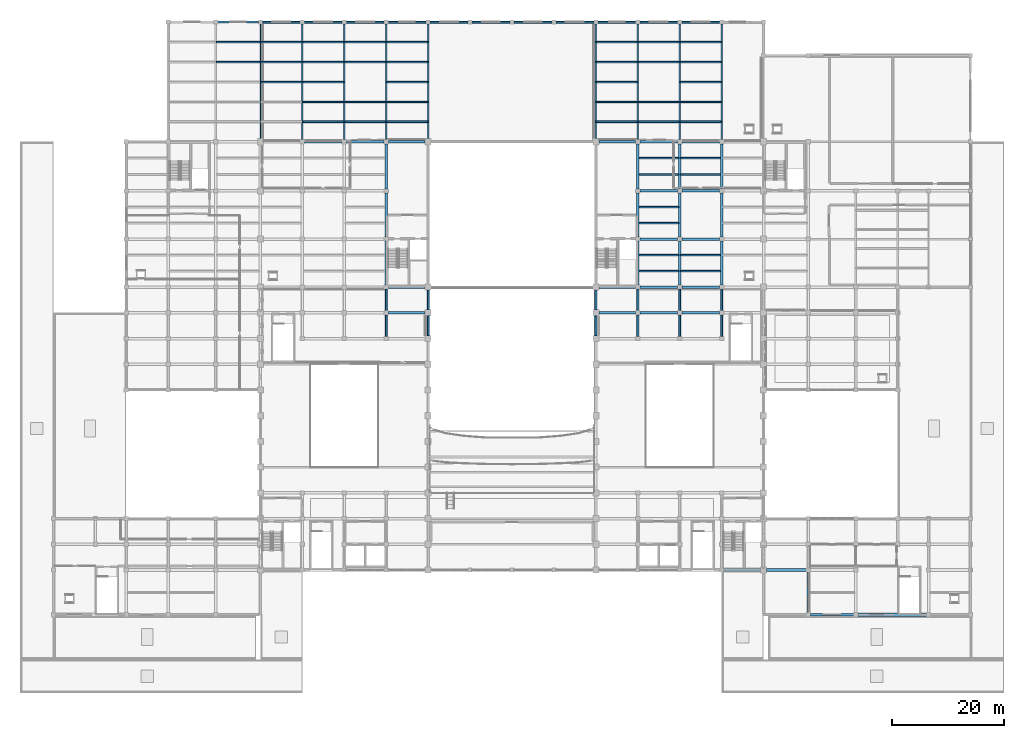
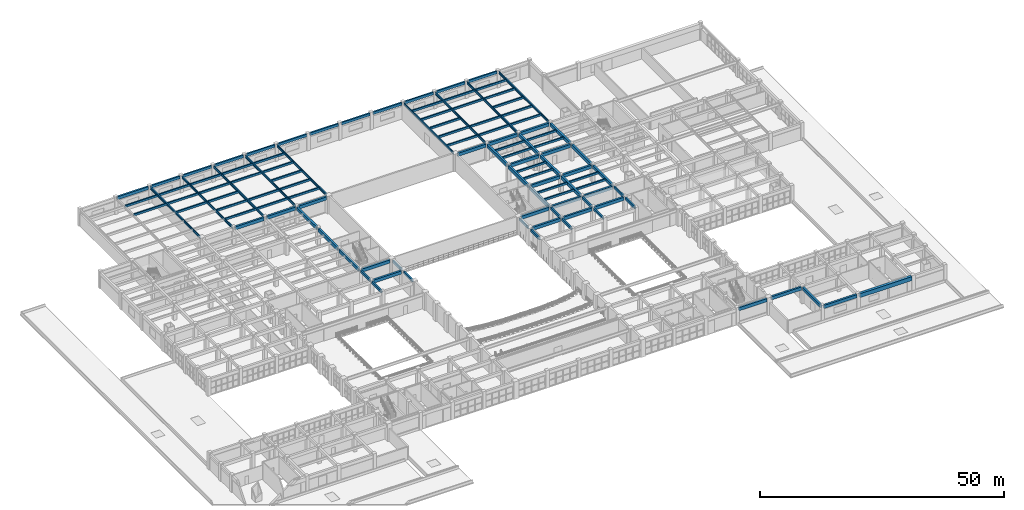
# One storey, part 33 of 90: 111 beams.
"""IFC4 building model written with IfcOpenShell, lengths in metres."""

import ifcopenshell
import ifcopenshell.guid

model = None  # the IFC model being written
_history = None  # IfcOwnerHistory: only IFC2X3 demands one
_inside = {}  # id of a spatial element -> (the spatial element, [elements in it])
_under = {}  # id of a project, library or spatial element -> (it, [spatial elements below it])
_declared = {}  # id of a project -> (the project, [libraries it declares])
_typed = {}  # id of a type object -> (the type object, [elements of that type])
_made_of = {}  # id of a material, layer set ... -> (it, [elements and type objects made of it])


def new_model(schema):
    """Start an empty IFC model of exactly this schema.

    Asked for "IFC4X3", IfcOpenShell would pick the latest addendum, in which some entities
    have other attributes; the version numbers below select the first issue.
    IFC2X3 requires an IfcOwnerHistory on every rooted entity: one is made here for all.
    """
    global model, _history
    if schema == "IFC4X3":
        model = ifcopenshell.file(schema_version=(4, 3, 0, 0))
    else:
        model = ifcopenshell.file(schema=schema)
    _inside.clear()
    _under.clear()
    _declared.clear()
    _typed.clear()
    _made_of.clear()
    _history = None
    if model.schema == "IFC2X3":
        org = make("IfcOrganization", Name="unknown")
        user = make(
            "IfcPersonAndOrganization",
            ThePerson=make("IfcPerson", FamilyName="unknown"),
            TheOrganization=org,
        )
        app = make(
            "IfcApplication",
            ApplicationDeveloper=org,
            Version="unknown",
            ApplicationFullName="unknown",
            ApplicationIdentifier="unknown",
        )
        _history = make(
            "IfcOwnerHistory",
            OwningUser=user,
            OwningApplication=app,
            ChangeAction="ADDED",
            CreationDate=0,
        )
    return model


def make(cls, **values):
    """One entity of the class cls with the attributes given. An attribute that is None is left unset."""
    return model.create_entity(
        cls, **{name: value for name, value in values.items() if value is not None}
    )


def rooted(cls, **values):
    """An entity with a GlobalId (a new one), such as an element, a storey or a relation."""
    return make(cls, GlobalId=ifcopenshell.guid.new(), OwnerHistory=_history, **values)


def si_unit(unit_type, name, prefix=None):
    """IfcSIUnit, for example si_unit("LENGTHUNIT", "METRE", prefix="MILLI")."""
    return make("IfcSIUnit", UnitType=unit_type, Prefix=prefix, Name=name)


def assignment(units):
    """IfcUnitAssignment: the units of a project."""
    return None if units is None else make("IfcUnitAssignment", Units=units)


def point(xyz):
    """IfcCartesianPoint."""
    return None if xyz is None else make("IfcCartesianPoint", Coordinates=xyz)


def direction(xyz):
    """IfcDirection."""
    return None if xyz is None else make("IfcDirection", DirectionRatios=xyz)


def frame(location, z_axis=None, x_axis=None):
    """IfcAxis2Placement3D, a coordinate frame: its origin and axes. An axis left out is left unset."""
    return make(
        "IfcAxis2Placement3D",
        Location=point(location),
        Axis=direction(z_axis),
        RefDirection=direction(x_axis),
    )


def frame_2d(location, x_axis=None):
    """IfcAxis2Placement2D, a coordinate frame in the plane: its origin and x axis."""
    return make(
        "IfcAxis2Placement2D", Location=point(location), RefDirection=direction(x_axis)
    )


def origin():
    """The frame at (0, 0, 0) with its axes left unset."""
    return frame((0.0, 0.0, 0.0))


def origin_2d():
    """The frame at (0, 0) in the plane with its x axis left unset."""
    return frame_2d((0.0, 0.0))


def place(relative_to, where):
    """IfcLocalPlacement: puts the frame where relative to a parent placement (None: the world)."""
    return make(
        "IfcLocalPlacement", PlacementRelTo=relative_to, RelativePlacement=where
    )


def context(
    kind, dimensions, precision=None, world=None, true_north=None, identifier=None
):
    """IfcGeometricRepresentationContext, for example the 3D "Model" context."""
    return make(
        "IfcGeometricRepresentationContext",
        ContextIdentifier=identifier,
        ContextType=kind,
        CoordinateSpaceDimension=dimensions,
        Precision=precision,
        WorldCoordinateSystem=world,
        TrueNorth=true_north,
    )


def subcontext(parent, identifier, kind, view, scale=None):
    """IfcGeometricRepresentationSubContext, for example "Body" below "Model"."""
    return make(
        "IfcGeometricRepresentationSubContext",
        ContextIdentifier=identifier,
        ContextType=kind,
        ParentContext=parent,
        TargetScale=scale,
        TargetView=view,
    )


def project(units=None, contexts=None):
    """IfcProject with its units and contexts."""
    return rooted(
        "IfcProject",
        Name="project",
        RepresentationContexts=contexts,
        UnitsInContext=assignment(units),
    )


def spatial(cls, under=None, at=None, **own):
    """A site, building, storey or space (cls), placed at a placement, below another one or the project."""
    s = rooted(cls, ObjectPlacement=at, **own)
    if under is not None:
        _under.setdefault(under.id(), (under, []))[1].append(s)
    return s


def profile(cls, at=None, kind="AREA", **sizes):
    """A parametric profile (cls). Its sizes go by their IFC names, for example OverallWidth=200.0."""
    return make(cls, ProfileType=kind, Position=at, **sizes)


def rectangle(**sizes):
    """IfcRectangleProfileDef."""
    return profile("IfcRectangleProfileDef", **sizes)


def i_section(**sizes):
    """IfcIShapeProfileDef."""
    return profile("IfcIShapeProfileDef", **sizes)


def extrude(swept, where, along, depth):
    """IfcExtrudedAreaSolid: the profile swept, set in the frame where, extruded along a direction by depth."""
    return make(
        "IfcExtrudedAreaSolid",
        SweptArea=swept,
        Position=where,
        ExtrudedDirection=direction(along),
        Depth=depth,
    )


def shape(context_of_items, identifier, shape_type, items):
    """IfcShapeRepresentation: the items that make up one representation, for example the "Body"."""
    return make(
        "IfcShapeRepresentation",
        ContextOfItems=context_of_items,
        RepresentationIdentifier=identifier,
        RepresentationType=shape_type,
        Items=items,
    )


def material(Name=None, Category=None):
    """IfcMaterial."""
    return make("IfcMaterial", Name=Name, Category=Category)


def material_profile(
    of_material, cross_section, Name=None, Category=None, Priority=None
):
    """IfcMaterialProfile: a cross section and its material."""
    return make(
        "IfcMaterialProfile",
        Name=Name,
        Material=of_material,
        Profile=cross_section,
        Priority=Priority,
        Category=Category,
    )


def profile_set(profiles, Name=None, composite=None):
    """IfcMaterialProfileSet."""
    return make(
        "IfcMaterialProfileSet",
        Name=Name,
        MaterialProfiles=profiles,
        CompositeProfile=composite,
    )


def made_of(thing, what):
    """Note that an element or type object is made of a material, layer set ...; save() writes the relation."""
    if what is not None:
        _made_of.setdefault(what.id(), (what, []))[1].append(thing)
    return thing


def type_object(cls, material=None, **own):
    """A type object (cls), such as IfcWallType, which elements share."""
    return made_of(rooted(cls, **own), material)


def element(
    cls,
    number,
    at=None,
    inside=None,
    cuts=None,
    type_object=None,
    material=None,
    context=None,
    identifier="Body",
    shape_type=None,
    held_by="IfcProductDefinitionShape",
    body=None,
    shapes=None,
    **own,
):
    """One element of the class cls, such as IfcWall. Its Tag is "e" and its number.

    at: its placement. inside: the storey or other place that contains it. cuts: it is an
    opening in that element (IfcRelVoidsElement). A single representation is given by context,
    identifier, shape_type and body (its items); several are given by shapes. held_by: the class
    of the entity that holds the representations. save() writes the other relations.
    """
    e = rooted(cls, Tag="e%d" % number, ObjectPlacement=at, **own)
    if body is not None:
        shapes = [shape(context, identifier, shape_type, body)]
    if shapes is not None:
        e.Representation = make(held_by, Representations=shapes)
    if inside is not None:
        _inside.setdefault(inside.id(), (inside, []))[1].append(e)
    if cuts is not None:
        rooted(
            "IfcRelVoidsElement", RelatingBuildingElement=cuts, RelatedOpeningElement=e
        )
    if type_object is not None:
        _typed.setdefault(type_object.id(), (type_object, []))[1].append(e)
    return made_of(e, material)


def aggregate(whole, parts):
    """IfcRelAggregates: a whole, such as a stair, and the parts it consists of."""
    return rooted("IfcRelAggregates", RelatingObject=whole, RelatedObjects=parts)


def save(model, path):
    """Write the relations noted so far, then the file.

    IfcRelAggregates (storeys below a building ...), IfcRelContainedInSpatialStructure (elements
    in a storey), IfcRelDefinesByType, IfcRelAssociatesMaterial and IfcRelDeclares: one each for
    every whole, place, type object, material and project.
    """
    for whole, parts in _under.values():
        aggregate(whole, parts)
    for where, things in _inside.values():
        rooted(
            "IfcRelContainedInSpatialStructure",
            RelatedElements=things,
            RelatingStructure=where,
        )
    for kind, things in _typed.values():
        rooted("IfcRelDefinesByType", RelatedObjects=things, RelatingType=kind)
    for what, things in _made_of.values():
        rooted("IfcRelAssociatesMaterial", RelatedObjects=things, RelatingMaterial=what)
    for by, libraries in _declared.values():
        rooted("IfcRelDeclares", RelatingContext=by, RelatedDefinitions=libraries)
    model.write(path)


model = new_model("IFC4")

# Units and contexts
model_context = context("Model", 3, precision=1e-05, world=origin(), true_north=direction((0.0, 1.0)))
body_context = subcontext(model_context, "Body", "Model", "MODEL_VIEW")
ifc_project = project(units=[si_unit("LENGTHUNIT", "METRE"), si_unit("AREAUNIT", "SQUARE_METRE"), si_unit("VOLUMEUNIT", "CUBIC_METRE"), si_unit("PLANEANGLEUNIT", "RADIAN"), si_unit("MASSUNIT", "GRAM", prefix="KILO")], contexts=[model_context])

# Site, building, storey
site_placement = place(None, origin())
site = spatial("IfcSite", under=ifc_project, at=site_placement, CompositionType="ELEMENT")
building_placement = place(site_placement, origin())
building = spatial("IfcBuilding", under=site, at=building_placement, Name="Muzn Square Opera House", CompositionType="ELEMENT")
storey_placement = place(building_placement, frame((0.0, 0.0, 9.800048828125)))
storey = spatial("IfcBuildingStorey", under=building, at=storey_placement, Name="L02", CompositionType="ELEMENT", Elevation=9.800048828125)

# Beams
ifc_material_1 = material(Name="Concrete C40/50", Category="concrete")
ifc_material_profile_1 = material_profile(ifc_material_1, rectangle(XDim=0.300048828125, YDim=0.5, at=origin_2d()), Name="RCJ 300x500", Category="concrete")
ifc_profile_set_1 = profile_set([ifc_material_profile_1], Name="Concrete C40/50")
beam_type_1 = type_object("IfcBeamType", Name="Floor Joist 300x500", PredefinedType="JOIST", material=ifc_profile_set_1)
for number, where, z_axis, x_axis, name in (
    (1, (35.10205078125, 112.86669921875, 3.89990234375), (1.0, 0.0, 0.0), (0.0, 1.0, 0.0), "Floor Joist BM-L02-BM-J500-351_1129_429_1129-2320"),
    (2, (35.10205078125, 116.433349609375, 3.89990234375), (1.0, 0.0, 0.0), (0.0, 1.0, 0.0), "Floor Joist BM-L02-BM-J500-351_1164_429_1164-2321"),
):
    element("IfcBeam", number, at=place(storey_placement, frame(where, z_axis=z_axis, x_axis=x_axis)), inside=storey, type_object=beam_type_1, Name=name, PredefinedType="JOIST", context=body_context, shape_type="SweptSolid", body=[
        extrude(rectangle(XDim=0.300048828125, YDim=0.5, at=origin_2d()), origin(), (0.0, 0.0, 1.0), 7.7958984375),
    ])
for number, where, z_axis, x_axis, name in (
    (3, (43.10205078125, 109.300048828125, 3.89990234375), (1.0, 0.0, 0.0), (0.0, 1.0, 0.0), "Floor Joist BM-L02-BM-J500-431_1093_504_1093-2330"),
    (4, (43.10205078125, 112.86669921875, 3.89990234375), (1.0, 0.0, 0.0), (0.0, 1.0, 0.0), "Floor Joist BM-L02-BM-J500-431_1129_504_1129-2331"),
    (5, (43.10205078125, 116.433349609375, 3.89990234375), (1.0, 0.0, 0.0), (0.0, 1.0, 0.0), "Floor Joist BM-L02-BM-J500-431_1164_504_1164-2332"),
    (6, (50.60205078125, 102.166748046875, 3.89990234375), (1.0, 0.0, 0.0), (0.0, 1.0, 0.0), "Floor Joist BM-L02-BM-J500-506_1022_579_1022-2339"),
    (7, (50.60205078125, 105.7333984375, 3.89990234375), (1.0, 0.0, 0.0), (0.0, 1.0, 0.0), "Floor Joist BM-L02-BM-J500-506_1057_579_1057-2340"),
    (8, (50.60205078125, 109.300048828125, 3.89990234375), (1.0, 0.0, 0.0), (0.0, 1.0, 0.0), "Floor Joist BM-L02-BM-J500-506_1093_579_1093-2341"),
    (9, (50.60205078125, 112.86669921875, 3.89990234375), (1.0, 0.0, 0.0), (0.0, 1.0, 0.0), "Floor Joist BM-L02-BM-J500-506_1129_579_1129-2342"),
    (10, (50.60205078125, 116.433349609375, 3.89990234375), (1.0, 0.0, 0.0), (0.0, 1.0, 0.0), "Floor Joist BM-L02-BM-J500-506_1164_579_1164-2343"),
    (11, (58.10205078125, 102.166748046875, 3.89990234375), (1.0, 0.0, 0.0), (0.0, 1.0, 0.0), "Floor Joist BM-L02-BM-J500-581_1022_654_1022-2350"),
    (12, (58.10205078125, 105.7333984375, 3.89990234375), (1.0, 0.0, 0.0), (0.0, 1.0, 0.0), "Floor Joist BM-L02-BM-J500-581_1057_654_1057-2351"),
    (13, (58.10205078125, 112.86669921875, 3.89990234375), (1.0, 0.0, 0.0), (0.0, 1.0, 0.0), "Floor Joist BM-L02-BM-J500-581_1129_654_1129-2353"),
    (14, (58.10205078125, 116.433349609375, 3.89990234375), (1.0, 0.0, 0.0), (0.0, 1.0, 0.0), "Floor Joist BM-L02-BM-J500-581_1164_654_1164-2354"),
    (15, (65.60205078125, 102.166748046875, 3.89990234375), (1.0, 0.0, 0.0), (0.0, 1.0, 0.0), "Floor Joist BM-L02-BM-J500-656_1022_729_1022-2355"),
    (16, (65.60205078125, 105.7333984375, 3.89990234375), (1.0, 0.0, 0.0), (0.0, 1.0, 0.0), "Floor Joist BM-L02-BM-J500-656_1057_729_1057-2356"),
    (17, (65.60205078125, 109.300048828125, 3.89990234375), (1.0, 0.0, 0.0), (0.0, 1.0, 0.0), "Floor Joist BM-L02-BM-J500-656_1093_729_1093-2357"),
    (18, (65.60205078125, 112.86669921875, 3.89990234375), (1.0, 0.0, 0.0), (0.0, 1.0, 0.0), "Floor Joist BM-L02-BM-J500-656_1129_729_1129-2358"),
    (19, (65.60205078125, 116.433349609375, 3.89990234375), (1.0, 0.0, 0.0), (0.0, 1.0, 0.0), "Floor Joist BM-L02-BM-J500-656_1164_729_1164-2359"),
    (20, (103.10205078125, 102.166748046875, 3.89990234375), (1.0, 0.0, 0.0), (0.0, 1.0, 0.0), "Floor Joist BM-L02-BM-J500-1031_1022_1104_1022-2360"),
    (21, (103.10205078125, 105.7333984375, 3.89990234375), (1.0, 0.0, 0.0), (0.0, 1.0, 0.0), "Floor Joist BM-L02-BM-J500-1031_1057_1104_1057-2361"),
    (22, (103.10205078125, 109.300048828125, 3.89990234375), (1.0, 0.0, 0.0), (0.0, 1.0, 0.0), "Floor Joist BM-L02-BM-J500-1031_1093_1104_1093-2362"),
    (23, (103.10205078125, 112.86669921875, 3.89990234375), (1.0, 0.0, 0.0), (0.0, 1.0, 0.0), "Floor Joist BM-L02-BM-J500-1031_1129_1104_1129-2363"),
    (24, (103.10205078125, 116.433349609375, 3.89990234375), (1.0, 0.0, 0.0), (0.0, 1.0, 0.0), "Floor Joist BM-L02-BM-J500-1031_1164_1104_1164-2364"),
):
    element("IfcBeam", number, at=place(storey_placement, frame(where, z_axis=z_axis, x_axis=x_axis)), inside=storey, type_object=beam_type_1, Name=name, PredefinedType="JOIST", context=body_context, shape_type="SweptSolid", body=[
        extrude(rectangle(XDim=0.300048828125, YDim=0.5, at=origin_2d()), origin(), (0.0, 0.0, 1.0), 7.2958984375),
    ])
for number, where, z_axis, x_axis, name in (
    (25, (110.717041015625, 75.466796875, 3.89990234375), (1.0, 0.0, 0.0), (0.0, 1.0, 0.0), "Floor Joist BM-L02-BM-J500-1107_755_1178_755-2365"),
    (26, (110.717041015625, 78.333251953125, 3.89990234375), (1.0, 0.0, 0.0), (0.0, 1.0, 0.0), "Floor Joist BM-L02-BM-J500-1107_783_1178_783-2366"),
    (27, (110.717041015625, 84.066650390625, 3.89990234375), (1.0, 0.0, 0.0), (0.0, 1.0, 0.0), "Floor Joist BM-L02-BM-J500-1107_841_1178_841-2367"),
    (28, (110.717041015625, 86.933349609375, 3.89990234375), (1.0, 0.0, 0.0), (0.0, 1.0, 0.0), "Floor Joist BM-L02-BM-J500-1107_869_1178_869-2368"),
    (29, (110.717041015625, 92.7333984375, 3.89990234375), (1.0, 0.0, 0.0), (0.0, 1.0, 0.0), "Floor Joist BM-L02-BM-J500-1107_927_1178_927-2369"),
    (30, (110.717041015625, 95.666748046875, 3.89990234375), (1.0, 0.0, 0.0), (0.0, 1.0, 0.0), "Floor Joist BM-L02-BM-J500-1107_957_1178_957-2370"),
):
    element("IfcBeam", number, at=place(storey_placement, frame(where, z_axis=z_axis, x_axis=x_axis)), inside=storey, type_object=beam_type_1, Name=name, PredefinedType="JOIST", context=body_context, shape_type="SweptSolid", body=[
        extrude(rectangle(XDim=0.300048828125, YDim=0.5, at=origin_2d()), origin(), (0.0, 0.0, 1.0), 7.06591796875),
    ])
for number, where, z_axis, x_axis, name in (
    (31, (110.60205078125, 102.166748046875, 3.89990234375), (1.0, 0.0, 0.0), (0.0, 1.0, 0.0), "Floor Joist BM-L02-BM-J500-1106_1022_1179_1022-2371"),
    (32, (110.60205078125, 105.7333984375, 3.89990234375), (1.0, 0.0, 0.0), (0.0, 1.0, 0.0), "Floor Joist BM-L02-BM-J500-1106_1057_1179_1057-2372"),
    (33, (110.60205078125, 112.86669921875, 3.89990234375), (1.0, 0.0, 0.0), (0.0, 1.0, 0.0), "Floor Joist BM-L02-BM-J500-1106_1129_1179_1129-2374"),
    (34, (110.60205078125, 116.433349609375, 3.89990234375), (1.0, 0.0, 0.0), (0.0, 1.0, 0.0), "Floor Joist BM-L02-BM-J500-1106_1164_1179_1164-2375"),
):
    element("IfcBeam", number, at=place(storey_placement, frame(where, z_axis=z_axis, x_axis=x_axis)), inside=storey, type_object=beam_type_1, Name=name, PredefinedType="JOIST", context=body_context, shape_type="SweptSolid", body=[
        extrude(rectangle(XDim=0.300048828125, YDim=0.5, at=origin_2d()), origin(), (0.0, 0.0, 1.0), 7.2958984375),
    ])
for number, where, z_axis, x_axis, name in (
    (35, (118.217041015625, 75.466796875, 3.89990234375), (1.0, 0.0, 0.0), (0.0, 1.0, 0.0), "Floor Joist BM-L02-BM-J500-1182_755_1253_755-2376"),
    (36, (118.217041015625, 78.333251953125, 3.89990234375), (1.0, 0.0, 0.0), (0.0, 1.0, 0.0), "Floor Joist BM-L02-BM-J500-1182_783_1253_783-2377"),
    (37, (118.217041015625, 92.7333984375, 3.89990234375), (1.0, 0.0, 0.0), (0.0, 1.0, 0.0), "Floor Joist BM-L02-BM-J500-1182_927_1253_927-2380"),
    (38, (118.217041015625, 95.666748046875, 3.89990234375), (1.0, 0.0, 0.0), (0.0, 1.0, 0.0), "Floor Joist BM-L02-BM-J500-1182_957_1253_957-2381"),
):
    element("IfcBeam", number, at=place(storey_placement, frame(where, z_axis=z_axis, x_axis=x_axis)), inside=storey, type_object=beam_type_1, Name=name, PredefinedType="JOIST", context=body_context, shape_type="SweptSolid", body=[
        extrude(rectangle(XDim=0.300048828125, YDim=0.5, at=origin_2d()), origin(), (0.0, 0.0, 1.0), 7.06591796875),
    ])
for number, where, z_axis, x_axis, name in (
    (39, (118.10205078125, 102.166748046875, 3.89990234375), (1.0, 0.0, 0.0), (0.0, 1.0, 0.0), "Floor Joist BM-L02-BM-J500-1181_1022_1254_1022-2382"),
    (40, (118.10205078125, 105.7333984375, 3.89990234375), (1.0, 0.0, 0.0), (0.0, 1.0, 0.0), "Floor Joist BM-L02-BM-J500-1181_1057_1254_1057-2383"),
    (41, (118.10205078125, 109.300048828125, 3.89990234375), (1.0, 0.0, 0.0), (0.0, 1.0, 0.0), "Floor Joist BM-L02-BM-J500-1181_1093_1254_1093-2384"),
    (42, (118.10205078125, 112.86669921875, 3.89990234375), (1.0, 0.0, 0.0), (0.0, 1.0, 0.0), "Floor Joist BM-L02-BM-J500-1181_1129_1254_1129-2385"),
    (43, (118.10205078125, 116.433349609375, 3.89990234375), (1.0, 0.0, 0.0), (0.0, 1.0, 0.0), "Floor Joist BM-L02-BM-J500-1181_1164_1254_1164-2386"),
):
    element("IfcBeam", number, at=place(storey_placement, frame(where, z_axis=z_axis, x_axis=x_axis)), inside=storey, type_object=beam_type_1, Name=name, PredefinedType="JOIST", context=body_context, shape_type="SweptSolid", body=[
        extrude(rectangle(XDim=0.300048828125, YDim=0.5, at=origin_2d()), origin(), (0.0, 0.0, 1.0), 7.2958984375),
    ])
ifc_material_profile_2 = material_profile(ifc_material_1, rectangle(XDim=0.35009765625, YDim=0.60009765625, at=origin_2d()), Name="RCB 350x600", Category="concrete")
ifc_profile_set_2 = profile_set([ifc_material_profile_2], Name="Concrete C40/50")
beam_type_2 = type_object("IfcBeamType", Name="Primary Girder 350x600", PredefinedType="BEAM", material=ifc_profile_set_2)
for number, where, z_axis, x_axis, name in (
    (44, (65.5, 63.76708984375, 3.820068359375), (0.0, 1.0, 0.0), (-1.0, 0.0, 0.0), "Primary Girder BM-L02-BM-PG600-655_638_655_676-2189"),
    (45, (65.5, 68.366943359375, 3.820068359375), (0.0, 1.0, 0.0), (-1.0, 0.0, 0.0), "Primary Girder BM-L02-BM-PG600-655_684_655_722-2190"),
):
    element("IfcBeam", number, at=place(storey_placement, frame(where, z_axis=z_axis, x_axis=x_axis)), inside=storey, type_object=beam_type_2, Name=name, PredefinedType="BEAM", context=body_context, shape_type="SweptSolid", body=[
        extrude(rectangle(XDim=0.35009765625, YDim=0.60009765625, at=origin_2d()), origin(), (0.0, 0.0, 1.0), 3.865966796875),
    ])
for number, where, z_axis, x_axis, name in (
    (46, (73.0, 63.94189453125, 3.820068359375), (0.0, 1.0, 0.0), (-1.0, 0.0, 0.0), "Primary Girder BM-L02-BM-PG600-730_639_730_675-2204"),
    (47, (73.0, 68.5419921875, 3.820068359375), (0.0, 1.0, 0.0), (-1.0, 0.0, 0.0), "Primary Girder BM-L02-BM-PG600-730_685_730_721-2205"),
    (48, (103.0, 63.94189453125, 3.820068359375), (0.0, 1.0, 0.0), (-1.0, 0.0, 0.0), "Primary Girder BM-L02-BM-PG600-1030_639_1030_675-2216"),
    (49, (103.0, 68.5419921875, 3.820068359375), (0.0, 1.0, 0.0), (-1.0, 0.0, 0.0), "Primary Girder BM-L02-BM-PG600-1030_685_1030_721-2217"),
):
    element("IfcBeam", number, at=place(storey_placement, frame(where, z_axis=z_axis, x_axis=x_axis)), inside=storey, type_object=beam_type_2, Name=name, PredefinedType="BEAM", context=body_context, shape_type="SweptSolid", body=[
        extrude(rectangle(XDim=0.35009765625, YDim=0.60009765625, at=origin_2d()), origin(), (0.0, 0.0, 1.0), 3.51611328125),
    ])
for number, where, z_axis, x_axis, name in (
    (50, (110.5, 63.76708984375, 3.820068359375), (0.0, 1.0, 0.0), (-1.0, 0.0, 0.0), "Primary Girder BM-L02-BM-PG600-1105_638_1105_676-2222"),
    (51, (110.5, 68.366943359375, 3.820068359375), (0.0, 1.0, 0.0), (-1.0, 0.0, 0.0), "Primary Girder BM-L02-BM-PG600-1105_684_1105_722-2223"),
    (52, (118.0, 63.76708984375, 3.820068359375), (0.0, 1.0, 0.0), (-1.0, 0.0, 0.0), "Primary Girder BM-L02-BM-PG600-1180_638_1180_676-2231"),
    (53, (118.0, 68.366943359375, 3.820068359375), (0.0, 1.0, 0.0), (-1.0, 0.0, 0.0), "Primary Girder BM-L02-BM-PG600-1180_684_1180_722-2232"),
    (54, (125.5, 63.76708984375, 3.820068359375), (0.0, 1.0, 0.0), (-1.0, 0.0, 0.0), "Primary Girder BM-L02-BM-PG600-1255_638_1255_676-2240"),
    (55, (125.5, 68.366943359375, 3.820068359375), (0.0, 1.0, 0.0), (-1.0, 0.0, 0.0), "Primary Girder BM-L02-BM-PG600-1255_684_1255_722-2241"),
):
    element("IfcBeam", number, at=place(storey_placement, frame(where, z_axis=z_axis, x_axis=x_axis)), inside=storey, type_object=beam_type_2, Name=name, PredefinedType="BEAM", context=body_context, shape_type="SweptSolid", body=[
        extrude(rectangle(XDim=0.35009765625, YDim=0.60009765625, at=origin_2d()), origin(), (0.0, 0.0, 1.0), 3.865966796875),
    ])
ifc_material_profile_3 = material_profile(ifc_material_1, rectangle(XDim=0.449951171875, YDim=0.800048828125, at=origin_2d()), Name="RCB 450x800", Category="concrete")
ifc_profile_set_3 = profile_set([ifc_material_profile_3], Name="Concrete C40/50")
beam_type_3 = type_object("IfcBeamType", Name="Primary Girder 450x800", PredefinedType="BEAM", material=ifc_profile_set_3)
beam_1_placement = place(storey_placement, frame((141.366943359375, 14.0, 3.719970703125), z_axis=(1.0, 0.0, 0.0), x_axis=(0.0, 1.0, 0.0)))
element("IfcBeam", 56, at=beam_1_placement, inside=storey, type_object=beam_type_3, Name="Primary Girder BM-L02-BM-PG800-1414_140_1491_140-1943", PredefinedType="BEAM", context=body_context, shape_type="SweptSolid", body=[
    extrude(rectangle(XDim=0.449951171875, YDim=0.800048828125, at=origin_2d()), origin(), (0.0, 0.0, 1.0), 7.76611328125),
])
beam_2_placement = place(storey_placement, frame((125.866943359375, 22.0, 3.719970703125), z_axis=(1.0, 0.0, 0.0), x_axis=(0.0, 1.0, 0.0)))
element("IfcBeam", 57, at=beam_2_placement, inside=storey, type_object=beam_type_3, Name="Primary Girder BM-L02-BM-PG800-1259_220_1325_220-1960", PredefinedType="BEAM", context=body_context, shape_type="SweptSolid", body=[
    extrude(rectangle(XDim=0.449951171875, YDim=0.800048828125, at=origin_2d()), origin(), (0.0, 0.0, 1.0), 6.591064453125),
])
beam_3_placement = place(storey_placement, frame((133.5419921875, 22.0, 3.75), z_axis=(1.0, 0.0, 0.0), x_axis=(0.0, 1.0, 0.0)))
element("IfcBeam", 58, at=beam_3_placement, inside=storey, type_object=beam_type_3, Name="Primary Girder BM-L02-BM-PG800-1335_220_1406_220-1961", PredefinedType="BEAM", context=body_context, shape_type="SweptSolid", body=[
    extrude(rectangle(XDim=0.449951171875, YDim=0.800048828125, at=origin_2d()), origin(), (0.0, 0.0, 1.0), 7.091064453125),
])
for number, where, z_axis, x_axis, name in (
    (59, (65.866943359375, 68.0, 3.719970703125), (1.0, 0.0, 0.0), (0.0, 1.0, 0.0), "Primary Girder BM-L02-BM-PG800-659_680_725_680-2041"),
    (60, (103.5419921875, 68.0, 3.719970703125), (1.0, 0.0, 0.0), (0.0, 1.0, 0.0), "Primary Girder BM-L02-BM-PG800-1035_680_1101_680-2042"),
):
    element("IfcBeam", number, at=place(storey_placement, frame(where, z_axis=z_axis, x_axis=x_axis)), inside=storey, type_object=beam_type_3, Name=name, PredefinedType="BEAM", context=body_context, shape_type="SweptSolid", body=[
        extrude(rectangle(XDim=0.449951171875, YDim=0.800048828125, at=origin_2d()), origin(), (0.0, 0.0, 1.0), 6.591064453125),
    ])
for number, where, z_axis, x_axis, name in (
    (61, (110.866943359375, 68.0, 3.719970703125), (1.0, 0.0, 0.0), (0.0, 1.0, 0.0), "Primary Girder BM-L02-BM-PG800-1109_680_1176_680-2043"),
    (62, (118.366943359375, 68.0, 3.719970703125), (1.0, 0.0, 0.0), (0.0, 1.0, 0.0), "Primary Girder BM-L02-BM-PG800-1184_680_1251_680-2044"),
):
    element("IfcBeam", number, at=place(storey_placement, frame(where, z_axis=z_axis, x_axis=x_axis)), inside=storey, type_object=beam_type_3, Name=name, PredefinedType="BEAM", context=body_context, shape_type="SweptSolid", body=[
        extrude(rectangle(XDim=0.449951171875, YDim=0.800048828125, at=origin_2d()), origin(), (0.0, 0.0, 1.0), 6.76611328125),
    ])
for number, where, z_axis, x_axis, name in (
    (63, (65.866943359375, 72.60009765625, 3.719970703125), (1.0, 0.0, 0.0), (0.0, 1.0, 0.0), "Primary Girder BM-L02-BM-PG800-659_726_725_726-2055"),
    (64, (103.5419921875, 72.60009765625, 3.719970703125), (1.0, 0.0, 0.0), (0.0, 1.0, 0.0), "Primary Girder BM-L02-BM-PG800-1035_726_1101_726-2056"),
):
    element("IfcBeam", number, at=place(storey_placement, frame(where, z_axis=z_axis, x_axis=x_axis)), inside=storey, type_object=beam_type_3, Name=name, PredefinedType="BEAM", context=body_context, shape_type="SweptSolid", body=[
        extrude(rectangle(XDim=0.449951171875, YDim=0.800048828125, at=origin_2d()), origin(), (0.0, 0.0, 1.0), 6.591064453125),
    ])
for number, where, z_axis, x_axis, name in (
    (65, (110.866943359375, 72.60009765625, 3.719970703125), (1.0, 0.0, 0.0), (0.0, 1.0, 0.0), "Primary Girder BM-L02-BM-PG800-1109_726_1176_726-2057"),
    (66, (118.366943359375, 72.60009765625, 3.719970703125), (1.0, 0.0, 0.0), (0.0, 1.0, 0.0), "Primary Girder BM-L02-BM-PG800-1184_726_1251_726-2058"),
    (67, (110.866943359375, 81.199951171875, 3.75), (1.0, 0.0, 0.0), (0.0, 1.0, 0.0), "Primary Girder BM-L02-BM-PG800-1109_812_1176_812-2071"),
    (68, (118.366943359375, 81.199951171875, 3.75), (1.0, 0.0, 0.0), (0.0, 1.0, 0.0), "Primary Girder BM-L02-BM-PG800-1184_812_1251_812-2072"),
    (69, (110.866943359375, 89.800048828125, 3.75), (1.0, 0.0, 0.0), (0.0, 1.0, 0.0), "Primary Girder BM-L02-BM-PG800-1109_898_1176_898-2082"),
    (70, (118.366943359375, 89.800048828125, 3.75), (1.0, 0.0, 0.0), (0.0, 1.0, 0.0), "Primary Girder BM-L02-BM-PG800-1184_898_1251_898-2083"),
    (71, (50.866943359375, 98.60009765625, 3.75), (1.0, 0.0, 0.0), (0.0, 1.0, 0.0), "Primary Girder BM-L02-BM-PG800-509_986_576_986-2094"),
    (72, (58.366943359375, 98.60009765625, 3.75), (1.0, 0.0, 0.0), (0.0, 1.0, 0.0), "Primary Girder BM-L02-BM-PG800-584_986_651_986-2095"),
):
    element("IfcBeam", number, at=place(storey_placement, frame(where, z_axis=z_axis, x_axis=x_axis)), inside=storey, type_object=beam_type_3, Name=name, PredefinedType="BEAM", context=body_context, shape_type="SweptSolid", body=[
        extrude(rectangle(XDim=0.449951171875, YDim=0.800048828125, at=origin_2d()), origin(), (0.0, 0.0, 1.0), 6.76611328125),
    ])
for number, where, z_axis, x_axis, name in (
    (73, (65.866943359375, 98.60009765625, 3.719970703125), (1.0, 0.0, 0.0), (0.0, 1.0, 0.0), "Primary Girder BM-L02-BM-PG800-659_986_725_986-2096"),
    (74, (103.5419921875, 98.60009765625, 3.719970703125), (1.0, 0.0, 0.0), (0.0, 1.0, 0.0), "Primary Girder BM-L02-BM-PG800-1035_986_1101_986-2097"),
):
    element("IfcBeam", number, at=place(storey_placement, frame(where, z_axis=z_axis, x_axis=x_axis)), inside=storey, type_object=beam_type_3, Name=name, PredefinedType="BEAM", context=body_context, shape_type="SweptSolid", body=[
        extrude(rectangle(XDim=0.449951171875, YDim=0.800048828125, at=origin_2d()), origin(), (0.0, 0.0, 1.0), 6.591064453125),
    ])
for number, where, z_axis, x_axis, name in (
    (75, (110.866943359375, 98.60009765625, 3.75), (1.0, 0.0, 0.0), (0.0, 1.0, 0.0), "Primary Girder BM-L02-BM-PG800-1109_986_1176_986-2098"),
    (76, (118.366943359375, 98.60009765625, 3.75), (1.0, 0.0, 0.0), (0.0, 1.0, 0.0), "Primary Girder BM-L02-BM-PG800-1184_986_1251_986-2099"),
):
    element("IfcBeam", number, at=place(storey_placement, frame(where, z_axis=z_axis, x_axis=x_axis)), inside=storey, type_object=beam_type_3, Name=name, PredefinedType="BEAM", context=body_context, shape_type="SweptSolid", body=[
        extrude(rectangle(XDim=0.449951171875, YDim=0.800048828125, at=origin_2d()), origin(), (0.0, 0.0, 1.0), 6.76611328125),
    ])
beam_4_placement = place(storey_placement, frame((65.5, 72.967041015625, 3.719970703125), z_axis=(0.0, 1.0, 0.0), x_axis=(-1.0, 0.0, 0.0)))
element("IfcBeam", 77, at=beam_4_placement, inside=storey, type_object=beam_type_3, Name="Primary Girder BM-L02-BM-PG800-655_730_655_808-2191", PredefinedType="BEAM", context=body_context, shape_type="SweptSolid", body=[
    extrude(rectangle(XDim=0.449951171875, YDim=0.800048828125, at=origin_2d()), origin(), (0.0, 0.0, 1.0), 7.865966796875),
])
beam_5_placement = place(storey_placement, frame((65.5, 81.56689453125, 3.719970703125), z_axis=(0.0, 1.0, 0.0), x_axis=(-1.0, 0.0, 0.0)))
element("IfcBeam", 78, at=beam_5_placement, inside=storey, type_object=beam_type_3, Name="Primary Girder BM-L02-BM-PG800-655_816_655_894-2192", PredefinedType="BEAM", context=body_context, shape_type="SweptSolid", body=[
    extrude(rectangle(XDim=0.449951171875, YDim=0.800048828125, at=origin_2d()), origin(), (0.0, 0.0, 1.0), 7.8662109375),
])
beam_6_placement = place(storey_placement, frame((65.5, 90.1669921875, 3.719970703125), z_axis=(0.0, 1.0, 0.0), x_axis=(-1.0, 0.0, 0.0)))
element("IfcBeam", 79, at=beam_6_placement, inside=storey, type_object=beam_type_3, Name="Primary Girder BM-L02-BM-PG800-655_902_655_982-2193", PredefinedType="BEAM", context=body_context, shape_type="SweptSolid", body=[
    extrude(rectangle(XDim=0.449951171875, YDim=0.800048828125, at=origin_2d()), origin(), (0.0, 0.0, 1.0), 8.06591796875),
])
beam_7_placement = place(storey_placement, frame((110.5, 72.967041015625, 3.719970703125), z_axis=(0.0, 1.0, 0.0), x_axis=(-1.0, 0.0, 0.0)))
element("IfcBeam", 80, at=beam_7_placement, inside=storey, type_object=beam_type_3, Name="Primary Girder BM-L02-BM-PG800-1105_730_1105_808-2224", PredefinedType="BEAM", context=body_context, shape_type="SweptSolid", body=[
    extrude(rectangle(XDim=0.449951171875, YDim=0.800048828125, at=origin_2d()), origin(), (0.0, 0.0, 1.0), 7.865966796875),
])
beam_8_placement = place(storey_placement, frame((110.5, 81.56689453125, 3.719970703125), z_axis=(0.0, 1.0, 0.0), x_axis=(-1.0, 0.0, 0.0)))
element("IfcBeam", 81, at=beam_8_placement, inside=storey, type_object=beam_type_3, Name="Primary Girder BM-L02-BM-PG800-1105_816_1105_894-2225", PredefinedType="BEAM", context=body_context, shape_type="SweptSolid", body=[
    extrude(rectangle(XDim=0.449951171875, YDim=0.800048828125, at=origin_2d()), origin(), (0.0, 0.0, 1.0), 7.8662109375),
])
beam_9_placement = place(storey_placement, frame((110.5, 90.1669921875, 3.719970703125), z_axis=(0.0, 1.0, 0.0), x_axis=(-1.0, 0.0, 0.0)))
element("IfcBeam", 82, at=beam_9_placement, inside=storey, type_object=beam_type_3, Name="Primary Girder BM-L02-BM-PG800-1105_902_1105_982-2226", PredefinedType="BEAM", context=body_context, shape_type="SweptSolid", body=[
    extrude(rectangle(XDim=0.449951171875, YDim=0.800048828125, at=origin_2d()), origin(), (0.0, 0.0, 1.0), 8.06591796875),
])
beam_10_placement = place(storey_placement, frame((118.0, 72.967041015625, 3.75), z_axis=(0.0, 1.0, 0.0), x_axis=(-1.0, 0.0, 0.0)))
element("IfcBeam", 83, at=beam_10_placement, inside=storey, type_object=beam_type_3, Name="Primary Girder BM-L02-BM-PG800-1180_730_1180_808-2233", PredefinedType="BEAM", context=body_context, shape_type="SweptSolid", body=[
    extrude(rectangle(XDim=0.449951171875, YDim=0.800048828125, at=origin_2d()), origin(), (0.0, 0.0, 1.0), 7.865966796875),
])
beam_11_placement = place(storey_placement, frame((118.0, 81.56689453125, 3.75), z_axis=(0.0, 1.0, 0.0), x_axis=(-1.0, 0.0, 0.0)))
element("IfcBeam", 84, at=beam_11_placement, inside=storey, type_object=beam_type_3, Name="Primary Girder BM-L02-BM-PG800-1180_816_1180_894-2234", PredefinedType="BEAM", context=body_context, shape_type="SweptSolid", body=[
    extrude(rectangle(XDim=0.449951171875, YDim=0.800048828125, at=origin_2d()), origin(), (0.0, 0.0, 1.0), 7.8662109375),
])
beam_12_placement = place(storey_placement, frame((118.0, 90.1669921875, 3.75), z_axis=(0.0, 1.0, 0.0), x_axis=(-1.0, 0.0, 0.0)))
element("IfcBeam", 85, at=beam_12_placement, inside=storey, type_object=beam_type_3, Name="Primary Girder BM-L02-BM-PG800-1180_902_1180_982-2235", PredefinedType="BEAM", context=body_context, shape_type="SweptSolid", body=[
    extrude(rectangle(XDim=0.449951171875, YDim=0.800048828125, at=origin_2d()), origin(), (0.0, 0.0, 1.0), 8.06591796875),
])
beam_13_placement = place(storey_placement, frame((125.5, 72.967041015625, 3.75), z_axis=(0.0, 1.0, 0.0), x_axis=(-1.0, 0.0, 0.0)))
element("IfcBeam", 86, at=beam_13_placement, inside=storey, type_object=beam_type_3, Name="Primary Girder BM-L02-BM-PG800-1255_730_1255_808-2242", PredefinedType="BEAM", context=body_context, shape_type="SweptSolid", body=[
    extrude(rectangle(XDim=0.449951171875, YDim=0.800048828125, at=origin_2d()), origin(), (0.0, 0.0, 1.0), 7.865966796875),
])
beam_14_placement = place(storey_placement, frame((125.5, 81.56689453125, 3.75), z_axis=(0.0, 1.0, 0.0), x_axis=(-1.0, 0.0, 0.0)))
element("IfcBeam", 87, at=beam_14_placement, inside=storey, type_object=beam_type_3, Name="Primary Girder BM-L02-BM-PG800-1255_816_1255_894-2243", PredefinedType="BEAM", context=body_context, shape_type="SweptSolid", body=[
    extrude(rectangle(XDim=0.449951171875, YDim=0.800048828125, at=origin_2d()), origin(), (0.0, 0.0, 1.0), 7.8662109375),
])
beam_15_placement = place(storey_placement, frame((125.5, 90.1669921875, 3.75), z_axis=(0.0, 1.0, 0.0), x_axis=(-1.0, 0.0, 0.0)))
element("IfcBeam", 88, at=beam_15_placement, inside=storey, type_object=beam_type_3, Name="Primary Girder BM-L02-BM-PG800-1255_902_1255_982-2244", PredefinedType="BEAM", context=body_context, shape_type="SweptSolid", body=[
    extrude(rectangle(XDim=0.449951171875, YDim=0.800048828125, at=origin_2d()), origin(), (0.0, 0.0, 1.0), 8.06591796875),
])
beam_16_placement = place(storey_placement, frame((141.0, 14.366943359375, 3.75), z_axis=(0.0, 1.0, 0.0), x_axis=(-1.0, 0.0, 0.0)))
element("IfcBeam", 89, at=beam_16_placement, inside=storey, type_object=beam_type_3, Name="Primary Girder BM-L02-BM-PG800-1410_144_1410_216-2260", PredefinedType="BEAM", context=body_context, shape_type="SweptSolid", body=[
    extrude(rectangle(XDim=0.449951171875, YDim=0.800048828125, at=origin_2d()), origin(), (0.0, 0.0, 1.0), 7.26611328125),
])
ifc_material_profile_4 = material_profile(ifc_material_1, rectangle(XDim=0.60009765625, YDim=1.0, at=origin_2d()), Name="RCB 600x1000", Category="concrete")
ifc_profile_set_4 = profile_set([ifc_material_profile_4], Name="Concrete C40/50")
beam_type_4 = type_object("IfcBeamType", Name="Primary Girder 600x1000", PredefinedType="BEAM", material=ifc_profile_set_4)
beam_17_placement = place(storey_placement, frame((149.866943359375, 14.0, 3.619873046875), z_axis=(1.0, 0.0, 0.0), x_axis=(0.0, 1.0, 0.0)))
element("IfcBeam", 90, at=beam_17_placement, inside=storey, type_object=beam_type_4, Name="Primary Girder BM-L02-BM-PG1000-1499_140_1621_140-1944", PredefinedType="BEAM", context=body_context, shape_type="SweptSolid", body=[
    extrude(rectangle(XDim=0.60009765625, YDim=1.0, at=origin_2d()), origin(), (0.0, 0.0, 1.0), 12.26611328125),
])
ifc_material_profile_5 = material_profile(ifc_material_1, rectangle(XDim=0.35009765625, YDim=0.64990234375, at=origin_2d()), Name="RCS 350x650", Category="concrete")
ifc_profile_set_5 = profile_set([ifc_material_profile_5], Name="Concrete C40/50")
beam_type_5 = type_object("IfcBeamType", Name="Spandrel Beam 350x650", PredefinedType="SPANDREL", material=ifc_profile_set_5)
for number, where, z_axis, x_axis, name in (
    (91, (43.366943359375, 120.0, 3.794921875), (1.0, 0.0, 0.0), (0.0, 1.0, 0.0), "Spandrel Beam BM-L02-BM-SP650-434_1200_501_1200-2105"),
    (92, (50.866943359375, 120.0, 3.794921875), (1.0, 0.0, 0.0), (0.0, 1.0, 0.0), "Spandrel Beam BM-L02-BM-SP650-509_1200_576_1200-2106"),
    (93, (58.366943359375, 120.0, 3.794921875), (1.0, 0.0, 0.0), (0.0, 1.0, 0.0), "Spandrel Beam BM-L02-BM-SP650-584_1200_651_1200-2107"),
    (94, (65.866943359375, 120.0, 3.794921875), (1.0, 0.0, 0.0), (0.0, 1.0, 0.0), "Spandrel Beam BM-L02-BM-SP650-659_1200_726_1200-2108"),
    (95, (73.366943359375, 120.0, 3.794921875), (1.0, 0.0, 0.0), (0.0, 1.0, 0.0), "Spandrel Beam BM-L02-BM-SP650-734_1200_801_1200-2109"),
    (96, (80.866943359375, 120.0, 3.794921875), (1.0, 0.0, 0.0), (0.0, 1.0, 0.0), "Spandrel Beam BM-L02-BM-SP650-809_1200_876_1200-2110"),
    (97, (88.366943359375, 120.0, 3.794921875), (1.0, 0.0, 0.0), (0.0, 1.0, 0.0), "Spandrel Beam BM-L02-BM-SP650-884_1200_951_1200-2111"),
    (98, (95.866943359375, 120.0, 3.794921875), (1.0, 0.0, 0.0), (0.0, 1.0, 0.0), "Spandrel Beam BM-L02-BM-SP650-959_1200_1026_1200-2112"),
    (99, (103.366943359375, 120.0, 3.794921875), (1.0, 0.0, 0.0), (0.0, 1.0, 0.0), "Spandrel Beam BM-L02-BM-SP650-1034_1200_1101_1200-2113"),
    (100, (110.866943359375, 120.0, 3.794921875), (1.0, 0.0, 0.0), (0.0, 1.0, 0.0), "Spandrel Beam BM-L02-BM-SP650-1109_1200_1176_1200-2114"),
    (101, (118.366943359375, 120.0, 3.794921875), (1.0, 0.0, 0.0), (0.0, 1.0, 0.0), "Spandrel Beam BM-L02-BM-SP650-1184_1200_1251_1200-2115"),
):
    element("IfcBeam", number, at=place(storey_placement, frame(where, z_axis=z_axis, x_axis=x_axis)), inside=storey, type_object=beam_type_5, Name=name, PredefinedType="SPANDREL", context=body_context, shape_type="SweptSolid", body=[
        extrude(rectangle(XDim=0.35009765625, YDim=0.64990234375, at=origin_2d()), origin(), (0.0, 0.0, 1.0), 6.76611328125),
    ])
ifc_material_profile_6 = material_profile(ifc_material_1, rectangle(XDim=0.39990234375, YDim=0.75, at=origin_2d()), Name="RCS 400x750", Category="concrete")
ifc_profile_set_6 = profile_set([ifc_material_profile_6], Name="Concrete C40/50")
beam_type_6 = type_object("IfcBeamType", Name="Spandrel Beam 400x750", PredefinedType="SPANDREL", material=ifc_profile_set_6)
beam_18_placement = place(storey_placement, frame((35.366943359375, 120.0, 3.744873046875), z_axis=(1.0, 0.0, 0.0), x_axis=(0.0, 1.0, 0.0)))
element("IfcBeam", 102, at=beam_18_placement, inside=storey, type_object=beam_type_6, Name="Spandrel Beam BM-L02-BM-SP750-354_1200_426_1200-2104", PredefinedType="SPANDREL", context=body_context, shape_type="SweptSolid", body=[
    extrude(rectangle(XDim=0.39990234375, YDim=0.75, at=origin_2d()), origin(), (0.0, 0.0, 1.0), 7.26611328125),
])
ifc_material_2 = material(Name="Steel S355", Category="steel")
ifc_material_profile_7 = material_profile(ifc_material_2, i_section(OverallWidth=0.219970703125, OverallDepth=0.60009765625, WebThickness=0.011962890625, FlangeThickness=0.01904296875, FilletRadius=0.02392578125, at=origin_2d()), Name="IPE 600", Category="steel")
ifc_profile_set_7 = profile_set([ifc_material_profile_7], Name="Steel S355")
beam_type_7 = type_object("IfcBeamType", Name="Stage Gallery Beam IPE600", PredefinedType="BEAM", material=ifc_profile_set_7)
beam_19_placement = place(storey_placement, frame((43.0, 99.14208984375, 3.849853515625), z_axis=(0.0, 1.0, 0.0), x_axis=(-1.0, 0.0, 0.0)))
element("IfcBeam", 103, at=beam_19_placement, inside=storey, type_object=beam_type_7, Name="Primary Girder BM-L02-BM-SG600-430_991_430_1196-2167", PredefinedType="BEAM", context=body_context, shape_type="SweptSolid", body=[
    extrude(i_section(OverallWidth=0.219970703125, OverallDepth=0.60009765625, WebThickness=0.011962890625, FlangeThickness=0.01904296875, FilletRadius=0.02392578125, at=origin_2d()), origin(), (0.0, 0.0, 1.0), 20.490966796875),
])
for number, where, z_axis, x_axis, name in (
    (104, (50.5, 98.967041015625, 3.849853515625), (0.0, 1.0, 0.0), (-1.0, 0.0, 0.0), "Primary Girder BM-L02-BM-SG600-505_990_505_1196-2176"),
    (105, (58.0, 98.967041015625, 3.849853515625), (0.0, 1.0, 0.0), (-1.0, 0.0, 0.0), "Primary Girder BM-L02-BM-SG600-580_990_580_1196-2185"),
    (106, (65.5, 98.967041015625, 3.849853515625), (0.0, 1.0, 0.0), (-1.0, 0.0, 0.0), "Primary Girder BM-L02-BM-SG600-655_990_655_1196-2194"),
):
    element("IfcBeam", number, at=place(storey_placement, frame(where, z_axis=z_axis, x_axis=x_axis)), inside=storey, type_object=beam_type_7, Name=name, PredefinedType="BEAM", context=body_context, shape_type="SweptSolid", body=[
        extrude(i_section(OverallWidth=0.219970703125, OverallDepth=0.60009765625, WebThickness=0.011962890625, FlangeThickness=0.01904296875, FilletRadius=0.02392578125, at=origin_2d()), origin(), (0.0, 0.0, 1.0), 20.666015625),
    ])
for number, where, z_axis, x_axis, name in (
    (107, (73.0, 99.14208984375, 3.849853515625), (0.0, 1.0, 0.0), (-1.0, 0.0, 0.0), "Primary Girder BM-L02-BM-SG600-730_991_730_1196-2206"),
    (108, (103.0, 99.14208984375, 3.849853515625), (0.0, 1.0, 0.0), (-1.0, 0.0, 0.0), "Primary Girder BM-L02-BM-SG600-1030_991_1030_1196-2218"),
):
    element("IfcBeam", number, at=place(storey_placement, frame(where, z_axis=z_axis, x_axis=x_axis)), inside=storey, type_object=beam_type_7, Name=name, PredefinedType="BEAM", context=body_context, shape_type="SweptSolid", body=[
        extrude(i_section(OverallWidth=0.219970703125, OverallDepth=0.60009765625, WebThickness=0.011962890625, FlangeThickness=0.01904296875, FilletRadius=0.02392578125, at=origin_2d()), origin(), (0.0, 0.0, 1.0), 20.490966796875),
    ])
for number, where, z_axis, x_axis, name in (
    (109, (110.5, 98.967041015625, 3.849853515625), (0.0, 1.0, 0.0), (-1.0, 0.0, 0.0), "Primary Girder BM-L02-BM-SG600-1105_990_1105_1196-2227"),
    (110, (118.0, 98.967041015625, 3.849853515625), (0.0, 1.0, 0.0), (-1.0, 0.0, 0.0), "Primary Girder BM-L02-BM-SG600-1180_990_1180_1196-2236"),
    (111, (125.5, 98.967041015625, 3.849853515625), (0.0, 1.0, 0.0), (-1.0, 0.0, 0.0), "Primary Girder BM-L02-BM-SG600-1255_990_1255_1196-2245"),
):
    element("IfcBeam", number, at=place(storey_placement, frame(where, z_axis=z_axis, x_axis=x_axis)), inside=storey, type_object=beam_type_7, Name=name, PredefinedType="BEAM", context=body_context, shape_type="SweptSolid", body=[
        extrude(i_section(OverallWidth=0.219970703125, OverallDepth=0.60009765625, WebThickness=0.011962890625, FlangeThickness=0.01904296875, FilletRadius=0.02392578125, at=origin_2d()), origin(), (0.0, 0.0, 1.0), 20.666015625),
    ])

save(model, "model.ifc")
